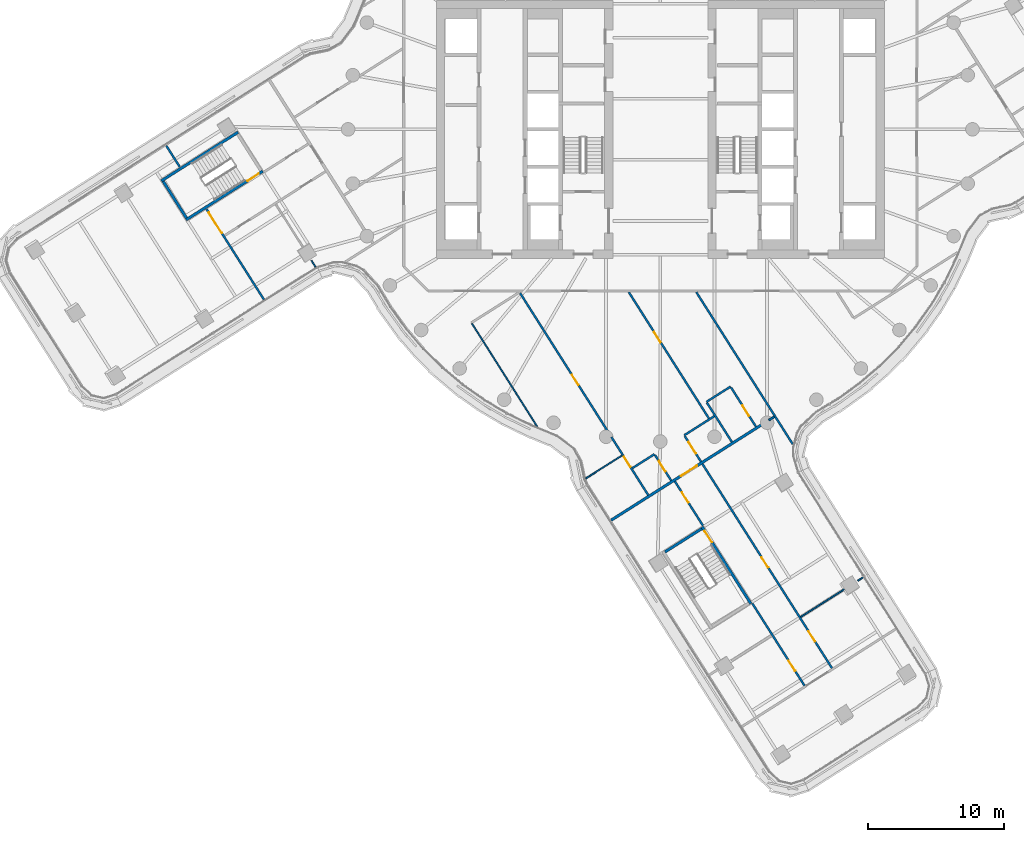
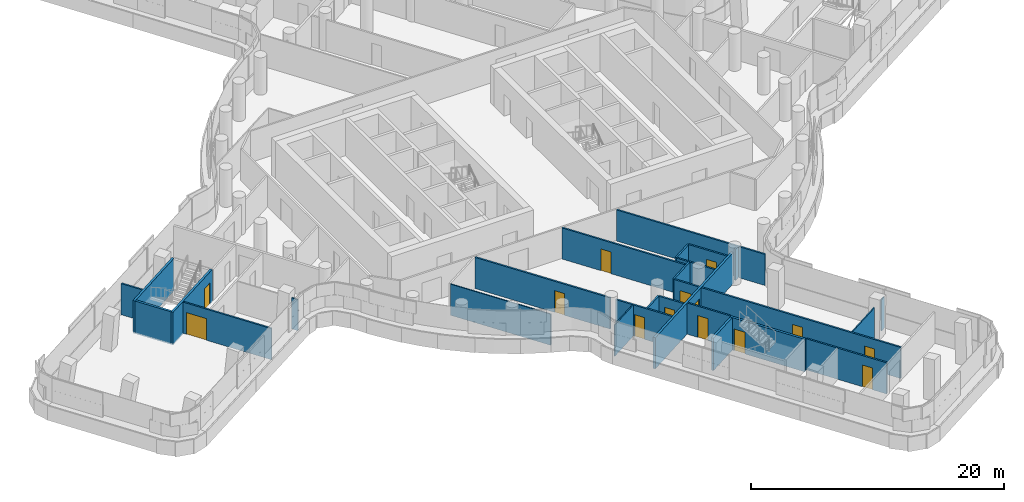
# One storey, part 23 of 36: 27 walls, 14 doors, 14 openings.
"""IFC4 building model written with IfcOpenShell, lengths in metres."""

from ifc_helpers import new_model, si_unit, direction, frame, frame_2d, origin, place, context, subcontext, project, spatial, polyline, rectangle, outline, extrude, material, layer, layer_set, type_object, element, fill, save


model = new_model("IFC4")

# Units and contexts
model_context = context("Model", 3, precision=1e-05, world=origin(), true_north=direction((0.0, 1.0)))
body_context = subcontext(model_context, "Body", "Model", "MODEL_VIEW")
ifc_project = project(units=[si_unit("LENGTHUNIT", "METRE"), si_unit("AREAUNIT", "SQUARE_METRE"), si_unit("VOLUMEUNIT", "CUBIC_METRE"), si_unit("PLANEANGLEUNIT", "RADIAN"), si_unit("MASSUNIT", "GRAM", prefix="KILO")], contexts=[model_context])

# Site, building, storey
site_placement = place(None, origin())
site = spatial("IfcSite", under=ifc_project, at=site_placement, CompositionType="ELEMENT")
building_placement = place(site_placement, origin())
building = spatial("IfcBuilding", under=site, at=building_placement, Name="Tamarind Cross Interchange Tower", CompositionType="ELEMENT")
storey_placement = place(building_placement, frame((0.0, 0.0, 151.75)))
storey = spatial("IfcBuildingStorey", under=building, at=storey_placement, Name="L37", CompositionType="ELEMENT", Elevation=151.75)

# Walls
ifc_material_1 = material(Name="Gypsum board partition on steel studs", Category="steel")
ifc_layer_1 = layer(ifc_material_1, 0.10009765625)
ifc_layer_set_1 = layer_set([ifc_layer_1], Name="Gypsum board partition on steel studs")
wall_type_1 = type_object("IfcWallType", Name="Partition 100 mm EI 90", PredefinedType="PARTITIONING", material=ifc_layer_set_1)
wall_1_placement = place(storey_placement, frame((-25.7001953125, -9.661865234375, 0.0), z_axis=(0.0, 0.0, 1.0), x_axis=(0.535914254519, -0.844272415636, 0.0)))
element("IfcWall", 1, at=wall_1_placement, inside=storey, type_object=wall_type_1, Name="Partition L37-006", PredefinedType="PARTITIONING", context=body_context, shape_type="SweptSolid", body=[
    extrude(rectangle(XDim=0.55908203125, YDim=0.10009765625, at=frame_2d((0.279541015625, 0.0))), origin(), (0.0, 0.0, 1.0), 3.010009765625),
])
wall_2_placement = place(storey_placement, frame((-13.876708984375, -14.312255859375, 0.0), z_axis=(0.0, 0.0, 1.0), x_axis=(0.535664679525, -0.844430785268, 0.0)))
element("IfcWall", 2, at=wall_2_placement, inside=storey, type_object=wall_type_1, Name="Partition L37-008", PredefinedType="PARTITIONING", context=body_context, shape_type="SweptSolid", body=[
    extrude(rectangle(XDim=8.96728515625, YDim=0.10009765625, at=frame_2d((4.483642578125, 0.0))), origin(), (0.0, 0.0, 1.0), 3.010009765625),
])
wall_3_placement = place(storey_placement, frame((-5.493408203125, -25.7216796875, 0.0), z_axis=(0.0, 0.0, 1.0), x_axis=(0.844399379413, 0.535714185034, 0.0)))
element("IfcWall", 3, at=wall_3_placement, inside=storey, type_object=wall_type_1, Name="Partition L37-057", PredefinedType="PARTITIONING", context=body_context, shape_type="SweptSolid", body=[
    extrude(rectangle(XDim=3.1572265625, YDim=0.10009765625, at=frame_2d((1.57861328125, 0.0))), origin(), (0.0, 0.0, 1.0), 3.010009765625),
])
wall_4_placement = place(storey_placement, frame((10.347412109375, -35.9228515625, 0.0), z_axis=(0.0, 0.0, 1.0), x_axis=(0.844380483055, 0.535743968548, 0.0)))
element("IfcWall", 4, at=wall_4_placement, inside=storey, type_object=wall_type_1, Name="Partition L37-065", PredefinedType="PARTITIONING", context=body_context, shape_type="SweptSolid", body=[
    extrude(rectangle(XDim=3.78515625, YDim=0.10009765625, at=frame_2d((1.892578125, 0.0))), origin(), (0.0, 0.0, 1.0), 3.010009765625),
])
wall_5_placement = place(storey_placement, frame((14.5517578125, -33.255615234375, 0.0), z_axis=(0.0, 0.0, 1.0), x_axis=(0.844143908691, 0.53611664908, 0.0)))
element("IfcWall", 5, at=wall_5_placement, inside=storey, type_object=wall_type_1, Name="Partition L37-066", PredefinedType="PARTITIONING", context=body_context, shape_type="SweptSolid", body=[
    extrude(rectangle(XDim=0.4580078125, YDim=0.10009765625, at=frame_2d((0.22900390625, 0.0))), origin(), (0.0, 0.0, 1.0), 3.010009765625),
])
ifc_layer_2 = layer(ifc_material_1, 0.14990234375)
ifc_layer_set_2 = layer_set([ifc_layer_2], Name="Gypsum board partition on steel studs")
wall_type_2 = type_object("IfcWallType", Name="Partition 150 mm EI 120", PredefinedType="PARTITIONING", material=ifc_layer_set_2)
wall_6_placement = place(storey_placement, frame((-36.3974609375, -1.19970703125, 0.0), z_axis=(0.0, 0.0, 1.0), x_axis=(0.535711030088, -0.844401381004, 0.0)))
element("IfcWall", 6, at=wall_6_placement, inside=storey, type_object=wall_type_2, Name="Partition L37-001", PredefinedType="PARTITIONING", context=body_context, shape_type="SweptSolid", body=[
    extrude(rectangle(XDim=1.859375, YDim=0.14990234375, at=frame_2d((0.9296875, 0.0))), origin(), (0.0, 0.0, 1.0), 3.010009765625),
])

# Wall, opening, door
wall_7_placement = place(storey_placement, frame((-33.4296875, -5.877197265625, 0.0), z_axis=(0.0, 0.0, 1.0), x_axis=(0.535783268733, -0.844355546524, 0.0)))
wall_7 = element("IfcWall", 7, at=wall_7_placement, inside=storey, type_object=wall_type_2, Name="Partition L37-002", PredefinedType="PARTITIONING", context=body_context, shape_type="SweptSolid", body=[
    extrude(rectangle(XDim=7.8857421875, YDim=0.14990234375, at=frame_2d((3.94287109375, 0.0))), origin(), (0.0, 0.0, 1.0), 3.010009765625),
])
opening_1_placement = place(wall_7_placement, frame((0.300048828125, 0.0, 0.0)))
opening_1 = element("IfcOpeningElement", 8, at=opening_1_placement, cuts=wall_7, Name="Opening D01", PredefinedType="OPENING", context=body_context, shape_type="SweptSolid", body=[
    extrude(rectangle(XDim=1.800048828125, YDim=2.10009765625, at=frame_2d((0.89990234375, 1.050048828125))), frame((0.0, 0.0849609375, 0.0), z_axis=(0.0, -1.0, 0.0), x_axis=(1.0, 0.0, 0.0)), (0.0, 0.0, 1.0), 0.169921875),
])
ifc_material_2 = material(Name="Fire-resisting door set")
door_type_1 = type_object("IfcDoorType", Name="Interior door 1800 x 2100 FD60S", OperationType="DOUBLE_DOOR_SINGLE_SWING", PredefinedType="DOOR", material=ifc_material_2)
door_1_placement = place(opening_1_placement, frame((1.800048828125, 0.0, 0.0), z_axis=(0.0, 0.0, 1.0), x_axis=(-1.0, 0.0, 0.0)))
door_1 = element("IfcDoor", 9, at=door_1_placement, inside=storey, type_object=door_type_1, Name="Door D01", OperationType="DOUBLE_DOOR_SINGLE_SWING", OverallHeight=2.10009765625, OverallWidth=1.800048828125, PredefinedType="DOOR", context=body_context, shape_type="SweptSolid", body=[
    extrude(rectangle(XDim=1.800048828125, YDim=2.10009765625, at=frame_2d((0.89990234375, 1.050048828125))), frame((0.0, 0.02490234375, 0.0), z_axis=(0.0, -1.0, 0.0), x_axis=(1.0, 0.0, 0.0)), (0.0, 0.0, 1.0), 0.050048828125),
])
fill(opening_1, door_1)

wall_8_placement = place(storey_placement, frame((-10.3271484375, -12.066650390625, 0.0), z_axis=(0.0, 0.0, 1.0), x_axis=(0.535642730436, -0.844444708273, 0.0)))
wall_8 = element("IfcWall", 10, at=wall_8_placement, inside=storey, type_object=wall_type_2, Name="Partition L37-012", PredefinedType="PARTITIONING", context=body_context, shape_type="SweptSolid", body=[
    extrude(rectangle(XDim=12.1025390625, YDim=0.14990234375, at=frame_2d((6.05126953125, 0.0))), origin(), (0.0, 0.0, 1.0), 3.010009765625),
])
opening_2_placement = place(wall_8_placement, frame((7.1201171875, 0.0, 0.0)))
opening_2 = element("IfcOpeningElement", 11, at=opening_2_placement, cuts=wall_8, Name="Opening D09", PredefinedType="OPENING", context=body_context, shape_type="SweptSolid", body=[
    extrude(rectangle(XDim=0.89990234375, YDim=2.10009765625, at=frame_2d((0.449951171875, 1.050048828125))), frame((0.0, 0.0849609375, 0.0), z_axis=(0.0, -1.0, 0.0), x_axis=(1.0, 0.0, 0.0)), (0.0, 0.0, 1.0), 0.169921875),
])
door_type_2 = type_object("IfcDoorType", Name="Interior door 900 x 2100 FD60S", OperationType="SINGLE_SWING_LEFT", PredefinedType="DOOR", material=ifc_material_2)
door_2_placement = place(opening_2_placement, frame((0.89990234375, 0.0, 0.0), z_axis=(0.0, 0.0, 1.0), x_axis=(-1.0, 0.0, 0.0)))
door_2 = element("IfcDoor", 12, at=door_2_placement, inside=storey, type_object=door_type_2, Name="Door D09", OperationType="SINGLE_SWING_RIGHT", OverallHeight=2.10009765625, OverallWidth=0.89990234375, PredefinedType="DOOR", context=body_context, shape_type="SweptSolid", body=[
    extrude(rectangle(XDim=0.89990234375, YDim=2.10009765625, at=frame_2d((0.449951171875, 1.050048828125))), frame((0.0, 0.02490234375, 0.0), z_axis=(0.0, -1.0, 0.0), x_axis=(1.0, 0.0, 0.0)), (0.0, 0.0, 1.0), 0.050048828125),
])
fill(opening_2, door_2)

wall_9_placement = place(storey_placement, frame((-3.603515625, -22.66650390625, 0.0), z_axis=(0.0, 0.0, 1.0), x_axis=(0.535643435477, -0.844444261056, 0.0)))
wall_9 = element("IfcWall", 13, at=wall_9_placement, inside=storey, type_object=wall_type_2, Name="Partition L37-013", PredefinedType="PARTITIONING", context=body_context, shape_type="SweptSolid", body=[
    extrude(rectangle(XDim=5.06689453125, YDim=0.14990234375, at=frame_2d((2.533447265625, 0.0))), origin(), (0.0, 0.0, 1.0), 3.010009765625),
])
opening_3_placement = place(wall_9_placement, frame((1.717041015625, 0.0, 0.0)))
opening_3 = element("IfcOpeningElement", 14, at=opening_3_placement, cuts=wall_9, Name="Opening D10", PredefinedType="OPENING", context=body_context, shape_type="SweptSolid", body=[
    extrude(rectangle(XDim=0.89990234375, YDim=2.10009765625, at=frame_2d((0.449951171875, 1.050048828125))), frame((0.0, 0.0849609375, 0.0), z_axis=(0.0, -1.0, 0.0), x_axis=(1.0, 0.0, 0.0)), (0.0, 0.0, 1.0), 0.169921875),
])
door_3_placement = place(opening_3_placement, frame((0.89990234375, 0.0, 0.0), z_axis=(0.0, 0.0, 1.0), x_axis=(-1.0, 0.0, 0.0)))
door_3 = element("IfcDoor", 15, at=door_3_placement, inside=storey, type_object=door_type_2, Name="Door D10", OperationType="SINGLE_SWING_LEFT", OverallHeight=2.10009765625, OverallWidth=0.89990234375, PredefinedType="DOOR", context=body_context, shape_type="SweptSolid", body=[
    extrude(rectangle(XDim=0.89990234375, YDim=2.10009765625, at=frame_2d((0.449951171875, 1.050048828125))), frame((0.0, 0.02490234375, 0.0), z_axis=(0.0, -1.0, 0.0), x_axis=(1.0, 0.0, 0.0)), (0.0, 0.0, 1.0), 0.050048828125),
])
fill(opening_3, door_3)

wall_10_placement = place(storey_placement, frame((-2.3193359375, -11.9970703125, 0.0), z_axis=(0.0, 0.0, 1.0), x_axis=(0.535683974437, -0.844418545232, 0.0)))
wall_10 = element("IfcWall", 16, at=wall_10_placement, inside=storey, type_object=wall_type_2, Name="Partition L37-017", PredefinedType="PARTITIONING", context=body_context, shape_type="SweptSolid", body=[
    extrude(rectangle(XDim=11.00927734375, YDim=0.14990234375, at=frame_2d((5.504638671875, 0.0))), origin(), (0.0, 0.0, 1.0), 3.010009765625),
])
opening_4_placement = place(wall_10_placement, frame((3.485107421875, 0.0, 0.0)))
opening_4 = element("IfcOpeningElement", 17, at=opening_4_placement, cuts=wall_10, Name="Opening D12", PredefinedType="OPENING", context=body_context, shape_type="SweptSolid", body=[
    extrude(rectangle(XDim=0.89990234375, YDim=2.10009765625, at=frame_2d((0.449951171875, 1.050048828125))), frame((0.0, 0.0849609375, 0.0), z_axis=(0.0, -1.0, 0.0), x_axis=(1.0, 0.0, 0.0)), (0.0, 0.0, 1.0), 0.169921875),
])
door_4_placement = place(opening_4_placement, origin())
door_4 = element("IfcDoor", 18, at=door_4_placement, inside=storey, type_object=door_type_2, Name="Door D12", OperationType="SINGLE_SWING_RIGHT", OverallHeight=2.10009765625, OverallWidth=0.89990234375, PredefinedType="DOOR", context=body_context, shape_type="SweptSolid", body=[
    extrude(rectangle(XDim=0.89990234375, YDim=2.10009765625, at=frame_2d((0.449951171875, 1.050048828125))), frame((0.0, 0.02490234375, 0.0), z_axis=(0.0, -1.0, 0.0), x_axis=(1.0, 0.0, 0.0)), (0.0, 0.0, 1.0), 0.050048828125),
])
fill(opening_4, door_4)

wall_11_placement = place(storey_placement, frame((-0.391845703125, -23.995361328125, 0.0), z_axis=(0.0, 0.0, 1.0), x_axis=(0.535461858409, -0.844559410692, 0.0)))
wall_11 = element("IfcWall", 19, at=wall_11_placement, inside=storey, type_object=wall_type_2, Name="Partition L37-018", PredefinedType="PARTITIONING", context=body_context, shape_type="SweptSolid", body=[
    extrude(rectangle(XDim=2.22509765625, YDim=0.14990234375, at=frame_2d((1.112548828125, 0.0))), origin(), (0.0, 0.0, 1.0), 3.010009765625),
])
opening_5_placement = place(wall_11_placement, frame((0.52490234375, 0.0, 0.0)))
opening_5 = element("IfcOpeningElement", 20, at=opening_5_placement, cuts=wall_11, Name="Opening D13", PredefinedType="OPENING", context=body_context, shape_type="SweptSolid", body=[
    extrude(rectangle(XDim=0.89990234375, YDim=2.10009765625, at=frame_2d((0.449951171875, 1.050048828125))), frame((0.0, 0.0849609375, 0.0), z_axis=(0.0, -1.0, 0.0), x_axis=(1.0, 0.0, 0.0)), (0.0, 0.0, 1.0), 0.169921875),
])
door_5_placement = place(opening_5_placement, frame((0.89990234375, 0.0, 0.0), z_axis=(0.0, 0.0, 1.0), x_axis=(-1.0, 0.0, 0.0)))
door_5 = element("IfcDoor", 21, at=door_5_placement, inside=storey, type_object=door_type_2, Name="Door D13", OperationType="SINGLE_SWING_LEFT", OverallHeight=2.10009765625, OverallWidth=0.89990234375, PredefinedType="DOOR", context=body_context, shape_type="SweptSolid", body=[
    extrude(rectangle(XDim=0.89990234375, YDim=2.10009765625, at=frame_2d((0.449951171875, 1.050048828125))), frame((0.0, 0.02490234375, 0.0), z_axis=(0.0, -1.0, 0.0), x_axis=(1.0, 0.0, 0.0)), (0.0, 0.0, 1.0), 0.050048828125),
])
fill(opening_5, door_5)

wall_12_placement = place(storey_placement, frame((1.07568359375, -25.936279296875, 0.0), z_axis=(0.0, 0.0, 1.0), x_axis=(0.535667461616, -0.844429020443, 0.0)))
wall_12 = element("IfcWall", 22, at=wall_12_placement, inside=storey, type_object=wall_type_2, Name="Partition L37-021", PredefinedType="PARTITIONING", context=body_context, shape_type="SweptSolid", body=[
    extrude(rectangle(XDim=3.859375, YDim=0.14990234375, at=frame_2d((1.9296875, 0.0))), origin(), (0.0, 0.0, 1.0), 3.010009765625),
])
opening_6_placement = place(wall_12_placement, frame((0.949951171875, 0.0, 0.0)))
opening_6 = element("IfcOpeningElement", 23, at=opening_6_placement, cuts=wall_12, Name="Opening D15", PredefinedType="OPENING", context=body_context, shape_type="SweptSolid", body=[
    extrude(rectangle(XDim=0.89990234375, YDim=2.10009765625, at=frame_2d((0.449951171875, 1.050048828125))), frame((0.0, 0.0849609375, 0.0), z_axis=(0.0, -1.0, 0.0), x_axis=(1.0, 0.0, 0.0)), (0.0, 0.0, 1.0), 0.169921875),
])
door_6_placement = place(opening_6_placement, frame((0.89990234375, 0.0, 0.0), z_axis=(0.0, 0.0, 1.0), x_axis=(-1.0, 0.0, 0.0)))
door_6 = element("IfcDoor", 24, at=door_6_placement, inside=storey, type_object=door_type_2, Name="Door D15", OperationType="SINGLE_SWING_LEFT", OverallHeight=2.10009765625, OverallWidth=0.89990234375, PredefinedType="DOOR", context=body_context, shape_type="SweptSolid", body=[
    extrude(rectangle(XDim=0.89990234375, YDim=2.10009765625, at=frame_2d((0.449951171875, 1.050048828125))), frame((0.0, 0.02490234375, 0.0), z_axis=(0.0, -1.0, 0.0), x_axis=(1.0, 0.0, 0.0)), (0.0, 0.0, 1.0), 0.050048828125),
])
fill(opening_6, door_6)

wall_13_placement = place(storey_placement, frame((6.775634765625, -34.920654296875, 0.0), z_axis=(0.0, 0.0, 1.0), x_axis=(0.535724203266, -0.844393023441, 0.0)))
wall_13 = element("IfcWall", 25, at=wall_13_placement, inside=storey, type_object=wall_type_2, Name="Partition L37-022", PredefinedType="PARTITIONING", context=body_context, shape_type="SweptSolid", body=[
    extrude(rectangle(XDim=7.179443359375, YDim=0.14990234375, at=frame_2d((3.58984375, 0.0))), origin(), (0.0, 0.0, 1.0), 3.010009765625),
])
opening_7_placement = place(wall_13_placement, frame((5.009765625, 0.0, 0.0)))
opening_7 = element("IfcOpeningElement", 26, at=opening_7_placement, cuts=wall_13, Name="Opening D16", PredefinedType="OPENING", context=body_context, shape_type="SweptSolid", body=[
    extrude(rectangle(XDim=0.89990234375, YDim=2.10009765625, at=frame_2d((0.449951171875, 1.050048828125))), frame((0.0, 0.0849609375, 0.0), z_axis=(0.0, -1.0, 0.0), x_axis=(1.0, 0.0, 0.0)), (0.0, 0.0, 1.0), 0.169921875),
])
door_7_placement = place(opening_7_placement, frame((0.89990234375, 0.0, 0.0), z_axis=(0.0, 0.0, 1.0), x_axis=(-1.0, 0.0, 0.0)))
door_7 = element("IfcDoor", 27, at=door_7_placement, inside=storey, type_object=door_type_2, Name="Door D16", OperationType="SINGLE_SWING_RIGHT", OverallHeight=2.10009765625, OverallWidth=0.89990234375, PredefinedType="DOOR", context=body_context, shape_type="SweptSolid", body=[
    extrude(rectangle(XDim=0.89990234375, YDim=2.10009765625, at=frame_2d((0.449951171875, 1.050048828125))), frame((0.0, 0.02490234375, 0.0), z_axis=(0.0, -1.0, 0.0), x_axis=(1.0, 0.0, 0.0)), (0.0, 0.0, 1.0), 0.050048828125),
])
fill(opening_7, door_7)

# Wall, openings, doors
wall_14_placement = place(storey_placement, frame((1.805908203125, -22.606689453125, 0.0), z_axis=(0.0, 0.0, 1.0), x_axis=(0.535719099476, -0.844396261513, 0.0)))
wall_14 = element("IfcWall", 28, at=wall_14_placement, inside=storey, type_object=wall_type_2, Name="Partition L37-023", PredefinedType="PARTITIONING", context=body_context, shape_type="SweptSolid", body=[
    extrude(rectangle(XDim=20.240478515625, YDim=0.14990234375, at=frame_2d((10.1201171875, 0.0))), origin(), (0.0, 0.0, 1.0), 3.010009765625),
])
opening_8_placement = place(wall_14_placement, frame((0.52001953125, 0.0, 0.0)))
opening_8 = element("IfcOpeningElement", 29, at=opening_8_placement, cuts=wall_14, Name="Opening D17", PredefinedType="OPENING", context=body_context, shape_type="SweptSolid", body=[
    extrude(rectangle(XDim=1.0, YDim=2.10009765625, at=frame_2d((0.5, 1.050048828125))), frame((0.0, 0.0849609375, 0.0), z_axis=(0.0, -1.0, 0.0), x_axis=(1.0, 0.0, 0.0)), (0.0, 0.0, 1.0), 0.169921875),
])
opening_9_placement = place(wall_14_placement, frame((10.570556640625, 0.0, 0.0)))
opening_9 = element("IfcOpeningElement", 30, at=opening_9_placement, cuts=wall_14, Name="Opening D18", PredefinedType="OPENING", context=body_context, shape_type="SweptSolid", body=[
    extrude(rectangle(XDim=0.89990234375, YDim=2.10009765625, at=frame_2d((0.449951171875, 1.050048828125))), frame((0.0, 0.0849609375, 0.0), z_axis=(0.0, -1.0, 0.0), x_axis=(1.0, 0.0, 0.0)), (0.0, 0.0, 1.0), 0.169921875),
])
opening_10_placement = place(wall_14_placement, frame((17.0205078125, 0.0, 0.0)))
opening_10 = element("IfcOpeningElement", 31, at=opening_10_placement, cuts=wall_14, Name="Opening D19", PredefinedType="OPENING", context=body_context, shape_type="SweptSolid", body=[
    extrude(rectangle(XDim=0.89990234375, YDim=2.10009765625, at=frame_2d((0.449951171875, 1.050048828125))), frame((0.0, 0.0849609375, 0.0), z_axis=(0.0, -1.0, 0.0), x_axis=(1.0, 0.0, 0.0)), (0.0, 0.0, 1.0), 0.169921875),
])
door_type_3 = type_object("IfcDoorType", Name="Interior door 1000 x 2100 FD60S", OperationType="SINGLE_SWING_LEFT", PredefinedType="DOOR", material=ifc_material_2)
door_8_placement = place(opening_8_placement, origin())
door_8 = element("IfcDoor", 32, at=door_8_placement, inside=storey, type_object=door_type_3, Name="Door D17", OperationType="SINGLE_SWING_RIGHT", OverallHeight=2.10009765625, OverallWidth=1.0, PredefinedType="DOOR", context=body_context, shape_type="SweptSolid", body=[
    extrude(rectangle(XDim=1.0, YDim=2.10009765625, at=frame_2d((0.5, 1.050048828125))), frame((0.0, 0.02490234375, 0.0), z_axis=(0.0, -1.0, 0.0), x_axis=(1.0, 0.0, 0.0)), (0.0, 0.0, 1.0), 0.050048828125),
])
fill(opening_8, door_8)
door_9_placement = place(opening_9_placement, origin())
door_9 = element("IfcDoor", 33, at=door_9_placement, inside=storey, type_object=door_type_2, Name="Door D18", OperationType="SINGLE_SWING_LEFT", OverallHeight=2.10009765625, OverallWidth=0.89990234375, PredefinedType="DOOR", context=body_context, shape_type="SweptSolid", body=[
    extrude(rectangle(XDim=0.89990234375, YDim=2.10009765625, at=frame_2d((0.449951171875, 1.050048828125))), frame((0.0, 0.02490234375, 0.0), z_axis=(0.0, -1.0, 0.0), x_axis=(1.0, 0.0, 0.0)), (0.0, 0.0, 1.0), 0.050048828125),
])
fill(opening_9, door_9)
door_10_placement = place(opening_10_placement, origin())
door_10 = element("IfcDoor", 34, at=door_10_placement, inside=storey, type_object=door_type_2, Name="Door D19", OperationType="SINGLE_SWING_LEFT", OverallHeight=2.10009765625, OverallWidth=0.89990234375, PredefinedType="DOOR", context=body_context, shape_type="SweptSolid", body=[
    extrude(rectangle(XDim=0.89990234375, YDim=2.10009765625, at=frame_2d((0.449951171875, 1.050048828125))), frame((0.0, 0.02490234375, 0.0), z_axis=(0.0, -1.0, 0.0), x_axis=(1.0, 0.0, 0.0)), (0.0, 0.0, 1.0), 0.050048828125),
])
fill(opening_10, door_10)

# Walls
wall_15_placement = place(storey_placement, frame((2.654541015625, -11.9970703125, 0.0), z_axis=(0.0, 0.0, 1.0), x_axis=(0.53566721482, -0.844429176999, 0.0)))
element("IfcWall", 35, at=wall_15_placement, inside=storey, type_object=wall_type_2, Name="Partition L37-024", PredefinedType="PARTITIONING", context=body_context, shape_type="SweptSolid", body=[
    extrude(rectangle(XDim=13.263427734375, YDim=0.14990234375, at=frame_2d((6.6318359375, 0.0))), origin(), (0.0, 0.0, 1.0), 3.010009765625),
])
wall_16_placement = place(storey_placement, frame((3.440185546875, -20.143310546875, 0.0), z_axis=(0.0, 0.0, 1.0), x_axis=(0.535892834872, -0.844286011689, 0.0)))
element("IfcWall", 36, at=wall_16_placement, inside=storey, type_object=wall_type_2, Name="Partition L37-025", PredefinedType="PARTITIONING", context=body_context, shape_type="SweptSolid", body=[
    extrude(rectangle(XDim=3.425537109375, YDim=0.14990234375, at=frame_2d((1.712890625, 0.0))), origin(), (0.0, 0.0, 1.0), 3.010009765625),
])

# Wall, opening, door
wall_17_placement = place(storey_placement, frame((5.214111328125, -19.018310546875, 0.0), z_axis=(0.0, 0.0, 1.0), x_axis=(0.535555665094, -0.844499928707, 0.0)))
wall_17 = element("IfcWall", 37, at=wall_17_placement, inside=storey, type_object=wall_type_2, Name="Partition L37-026", PredefinedType="PARTITIONING", context=body_context, shape_type="SweptSolid", body=[
    extrude(rectangle(XDim=3.4248046875, YDim=0.14990234375, at=frame_2d((1.71240234375, 0.0))), origin(), (0.0, 0.0, 1.0), 3.010009765625),
])
opening_11_placement = place(wall_17_placement, frame((1.574951171875, 0.0, 0.0)))
opening_11 = element("IfcOpeningElement", 38, at=opening_11_placement, cuts=wall_17, Name="Opening D20", PredefinedType="OPENING", context=body_context, shape_type="SweptSolid", body=[
    extrude(rectangle(XDim=0.89990234375, YDim=2.10009765625, at=frame_2d((0.449951171875, 1.050048828125))), frame((0.0, 0.0849609375, 0.0), z_axis=(0.0, -1.0, 0.0), x_axis=(1.0, 0.0, 0.0)), (0.0, 0.0, 1.0), 0.169921875),
])
door_11_placement = place(opening_11_placement, frame((0.89990234375, 0.0, 0.0), z_axis=(0.0, 0.0, 1.0), x_axis=(-1.0, 0.0, 0.0)))
door_11 = element("IfcDoor", 39, at=door_11_placement, inside=storey, type_object=door_type_2, Name="Door D20", OperationType="SINGLE_SWING_RIGHT", OverallHeight=2.10009765625, OverallWidth=0.89990234375, PredefinedType="DOOR", context=body_context, shape_type="SweptSolid", body=[
    extrude(rectangle(XDim=0.89990234375, YDim=2.10009765625, at=frame_2d((0.449951171875, 1.050048828125))), frame((0.0, 0.02490234375, 0.0), z_axis=(0.0, -1.0, 0.0), x_axis=(1.0, 0.0, 0.0)), (0.0, 0.0, 1.0), 0.050048828125),
])
fill(opening_11, door_11)

# Walls
wall_18_placement = place(storey_placement, frame((3.399658203125, -20.07958984375, 0.0), z_axis=(0.0, 0.0, 1.0), x_axis=(0.844388056722, 0.535732031584, 0.0)))
element("IfcWall", 40, at=wall_18_placement, inside=storey, type_object=wall_type_2, Name="Partition L37-058", PredefinedType="PARTITIONING", context=body_context, shape_type="SweptSolid", body=[
    extrude(rectangle(XDim=2.100830078125, YDim=0.14990234375, at=frame_2d((1.05029296875, 0.0))), origin(), (0.0, 0.0, 1.0), 3.010009765625),
])
wall_19_placement = place(storey_placement, frame((8.00830078125, -21.420166015625, 0.0), z_axis=(0.0, 0.0, 1.0), x_axis=(0.844395258973, 0.535720679668, 0.0)))
element("IfcWall", 41, at=wall_19_placement, inside=storey, type_object=wall_type_2, Name="Partition L37-060", PredefinedType="PARTITIONING", context=body_context, shape_type="SweptSolid", body=[
    extrude(rectangle(XDim=0.45166015625, YDim=0.14990234375, at=frame_2d((0.225830078125, 0.0))), origin(), (0.0, 0.0, 1.0), 3.010009765625),
])
wall_20_placement = place(storey_placement, frame((-2.053466796875, -24.960205078125, 0.0), z_axis=(0.0, 0.0, 1.0), x_axis=(0.84450857845, 0.535542025358, 0.0)))
element("IfcWall", 42, at=wall_20_placement, inside=storey, type_object=wall_type_2, Name="Partition L37-061", PredefinedType="PARTITIONING", context=body_context, shape_type="SweptSolid", body=[
    extrude(rectangle(XDim=1.920166015625, YDim=0.14990234375, at=frame_2d((0.9599609375, 0.0))), origin(), (0.0, 0.0, 1.0), 3.010009765625),
])
wall_21_placement = place(storey_placement, frame((1.763427734375, -22.539794921875, 0.0), z_axis=(0.0, 0.0, 1.0), x_axis=(0.844519885182, 0.535524195095, 0.0)))
element("IfcWall", 43, at=wall_21_placement, inside=storey, type_object=wall_type_2, Name="Partition L37-062", PredefinedType="PARTITIONING", context=body_context, shape_type="SweptSolid", body=[
    extrude(rectangle(XDim=2.6201171875, YDim=0.14990234375, at=frame_2d((1.31005859375, 0.0))), origin(), (0.0, 0.0, 1.0), 3.010009765625),
])

# Wall, opening, door
ifc_layer_3 = layer(ifc_material_1, 0.199951171875)
ifc_layer_set_3 = layer_set([ifc_layer_3], Name="Gypsum board partition on steel studs")
wall_type_3 = type_object("IfcWallType", Name="Partition 200 mm EI 180", PredefinedType="PARTITIONING", material=ifc_layer_set_3)
wall_22_placement = place(storey_placement, frame((-3.62109375, -28.797607421875, 0.0), z_axis=(0.0, 0.0, 1.0), x_axis=(0.844419013284, 0.535683236627, 0.0)))
wall_22 = element("IfcWall", 44, at=wall_22_placement, inside=storey, type_object=wall_type_3, Name="Partition L37-059", PredefinedType="PARTITIONING", context=body_context, shape_type="SweptSolid", body=[
    extrude(rectangle(XDim=13.322265625, YDim=0.199951171875, at=frame_2d((6.6611328125, 0.0))), origin(), (0.0, 0.0, 1.0), 3.010009765625),
])
opening_12_placement = place(wall_22_placement, frame((6.0986328125, 0.0, 0.0)))
opening_12 = element("IfcOpeningElement", 45, at=opening_12_placement, cuts=wall_22, Name="Opening D36", PredefinedType="OPENING", context=body_context, shape_type="SweptSolid", body=[
    extrude(rectangle(XDim=1.39990234375, YDim=2.10009765625, at=frame_2d((0.699951171875, 1.050048828125))), frame((0.0, 0.10986328125, 0.0), z_axis=(0.0, -1.0, 0.0), x_axis=(1.0, 0.0, 0.0)), (0.0, 0.0, 1.0), 0.219970703125),
])
door_type_4 = type_object("IfcDoorType", Name="Interior door 1400 x 2100 FD120S", OperationType="DOUBLE_DOOR_SINGLE_SWING", PredefinedType="DOOR", material=ifc_material_2)
door_12_placement = place(opening_12_placement, origin())
door_12 = element("IfcDoor", 46, at=door_12_placement, inside=storey, type_object=door_type_4, Name="Door D36", OperationType="DOUBLE_DOOR_SINGLE_SWING", OverallHeight=2.10009765625, OverallWidth=1.39990234375, PredefinedType="DOOR", context=body_context, shape_type="SweptSolid", body=[
    extrude(rectangle(XDim=1.39990234375, YDim=2.10009765625, at=frame_2d((0.699951171875, 1.050048828125))), frame((0.0, 0.02490234375, 0.0), z_axis=(0.0, -1.0, 0.0), x_axis=(1.0, 0.0, 0.0)), (0.0, 0.0, 1.0), 0.050048828125),
])
fill(opening_12, door_12)

ifc_material_3 = material(Name="Concrete C40", Category="concrete")
ifc_layer_4 = layer(ifc_material_3, 0.199951171875)
ifc_layer_set_4 = layer_set([ifc_layer_4], Name="Concrete C40")
wall_type_4 = type_object("IfcWallType", Name="Stair shaft wall 200 mm Concrete C40", PredefinedType="SHEAR", material=ifc_layer_set_4)
wall_23_placement = place(storey_placement, frame((-29.282958984375, -3.080322265625, -0.139892578125), z_axis=(0.0, 0.0, 1.0), x_axis=(-0.844437826511, -0.53565357943, 0.0)))
wall_23 = element("IfcWall", 47, at=wall_23_placement, inside=storey, type_object=wall_type_4, Name="Core wall CWL-L37-ST5-H", PredefinedType="SHEAR", context=body_context, shape_type="SweptSolid", body=[
    extrude(rectangle(XDim=6.699951171875, YDim=0.199951171875, at=frame_2d((3.35009765625, 0.0))), origin(), (0.0, 0.0, 1.0), 3.14990234375),
])
opening_13_placement = place(wall_23_placement, frame((0.35009765625, 0.0, 0.0)))
opening_13 = element("IfcOpeningElement", 48, at=opening_13_placement, cuts=wall_23, Name="Opening ST5L37", PredefinedType="OPENING", context=body_context, shape_type="SweptSolid", body=[
    extrude(rectangle(XDim=1.0, YDim=2.10009765625, at=frame_2d((0.5, 1.050048828125))), frame((0.0, 0.10986328125, 0.0), z_axis=(0.0, -1.0, 0.0), x_axis=(1.0, 0.0, 0.0)), (0.0, 0.0, 1.0), 0.219970703125),
])
ifc_material_4 = material(Name="Steel, fire-resisting", Category="steel")
door_type_5 = type_object("IfcDoorType", Name="Core fire door 1000 x 2100 FD90", OperationType="SINGLE_SWING_LEFT", PredefinedType="DOOR", material=ifc_material_4)
door_13_placement = place(opening_13_placement, origin())
door_13 = element("IfcDoor", 49, at=door_13_placement, inside=storey, type_object=door_type_5, Name="L37 stair door ST5", OperationType="SINGLE_SWING_LEFT", OverallHeight=2.10009765625, OverallWidth=1.0, PredefinedType="DOOR", context=body_context, shape_type="SweptSolid", body=[
    extrude(rectangle(XDim=1.0, YDim=2.10009765625, at=frame_2d((0.5, 1.050048828125))), frame((0.0, 0.02490234375, 0.0), z_axis=(0.0, -1.0, 0.0), x_axis=(1.0, 0.0, 0.0)), (0.0, 0.0, 1.0), 0.050048828125),
])
fill(opening_13, door_13)

# Walls
wall_24_placement = place(storey_placement, frame((-31.104248046875, -0.209228515625, -0.139892578125), z_axis=(0.0, 0.0, 1.0), x_axis=(-0.844421344112, -0.535679562432, 0.0)))
element("IfcWall", 50, at=wall_24_placement, inside=storey, type_object=wall_type_4, Name="Core wall CWL-L37-ST5-C", PredefinedType="SHEAR", context=body_context, shape_type="SweptSolid", body=[
    extrude(rectangle(XDim=6.7001953125, YDim=0.199951171875, at=frame_2d((3.35009765625, 0.0))), origin(), (0.0, 0.0, 1.0), 3.14990234375),
])
wall_25_placement = place(storey_placement, frame((0.0, 0.0, -0.139892578125)))
element("IfcWall", 51, at=wall_25_placement, inside=storey, type_object=wall_type_4, Name="Core wall CWL-L37-ST5-CF", PredefinedType="SHEAR", context=body_context, shape_type="SweptSolid", body=[
    extrude(outline(polyline([(-36.539306640625, -3.775634765625), (-36.708251953125, -3.8828125), (-34.994140625, -6.5849609375), (-34.8251953125, -6.477783203125), (-36.539306640625, -3.775634765625)])), origin(), (0.0, 0.0, 1.0), 3.14990234375),
])

# Wall, opening, door
wall_26_placement = place(storey_placement, frame((3.080322265625, -29.282958984375, -0.139892578125), z_axis=(0.0, 0.0, 1.0), x_axis=(0.53565357943, -0.844437826511, 0.0)))
wall_26 = element("IfcWall", 52, at=wall_26_placement, inside=storey, type_object=wall_type_4, Name="Core wall CWL-L37-ST6-H", PredefinedType="SHEAR", context=body_context, shape_type="SweptSolid", body=[
    extrude(rectangle(XDim=6.699951171875, YDim=0.199951171875, at=frame_2d((3.35009765625, 0.0))), origin(), (0.0, 0.0, 1.0), 3.14990234375),
])
opening_14_placement = place(wall_26_placement, frame((0.35009765625, 0.0, 0.0)))
opening_14 = element("IfcOpeningElement", 53, at=opening_14_placement, cuts=wall_26, Name="Opening ST6L37", PredefinedType="OPENING", context=body_context, shape_type="SweptSolid", body=[
    extrude(rectangle(XDim=1.0, YDim=2.10009765625, at=frame_2d((0.5, 1.050048828125))), frame((0.0, 0.10986328125, 0.0), z_axis=(0.0, -1.0, 0.0), x_axis=(1.0, 0.0, 0.0)), (0.0, 0.0, 1.0), 0.219970703125),
])
door_14_placement = place(opening_14_placement, origin())
door_14 = element("IfcDoor", 54, at=door_14_placement, inside=storey, type_object=door_type_5, Name="L37 stair door ST6", OperationType="SINGLE_SWING_LEFT", OverallHeight=2.10009765625, OverallWidth=1.0, PredefinedType="DOOR", context=body_context, shape_type="SweptSolid", body=[
    extrude(rectangle(XDim=1.0, YDim=2.10009765625, at=frame_2d((0.5, 1.050048828125))), frame((0.0, 0.02490234375, 0.0), z_axis=(0.0, -1.0, 0.0), x_axis=(1.0, 0.0, 0.0)), (0.0, 0.0, 1.0), 0.050048828125),
])
fill(opening_14, door_14)

# Wall
wall_27_placement = place(storey_placement, frame((0.347412109375, -31.135009765625, -0.139892578125), z_axis=(0.0, 0.0, 1.0), x_axis=(0.844430300144, 0.535665444282, 0.0)))
element("IfcWall", 55, at=wall_27_placement, inside=storey, type_object=wall_type_4, Name="Core wall CWL-L37-ST6-CE", PredefinedType="SHEAR", context=body_context, shape_type="SweptSolid", body=[
    extrude(rectangle(XDim=3.199951171875, YDim=0.199951171875, at=frame_2d((1.60009765625, 0.0))), origin(), (0.0, 0.0, 1.0), 3.14990234375),
])

save(model, "model.ifc")
